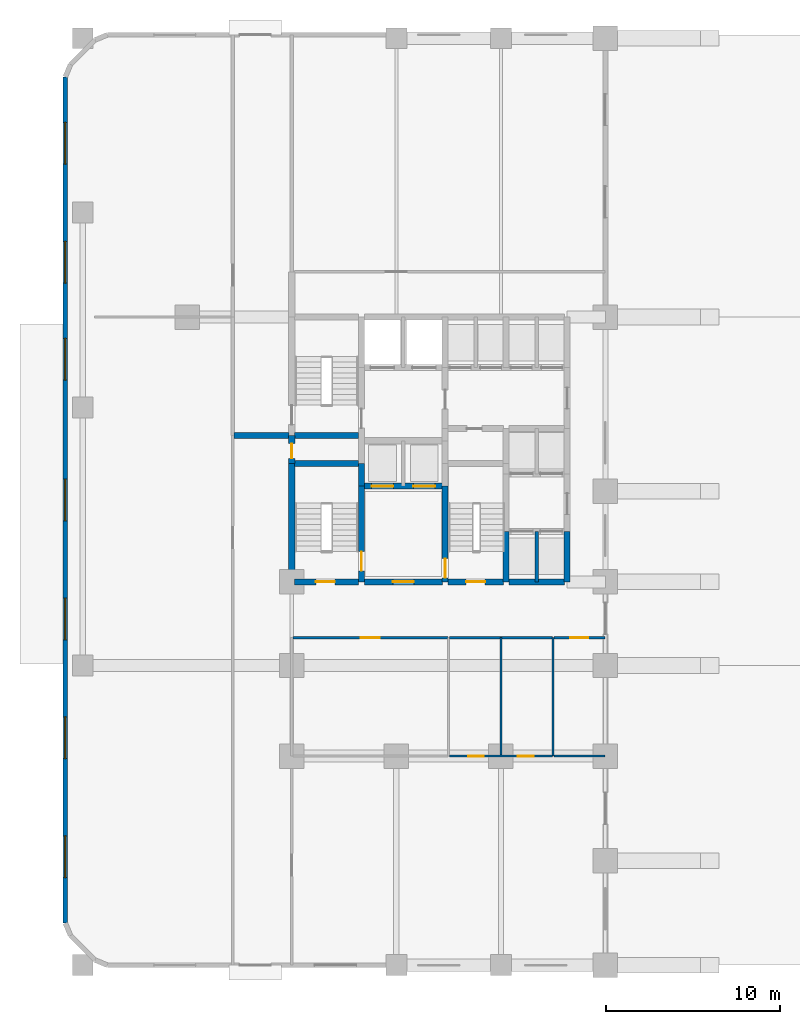
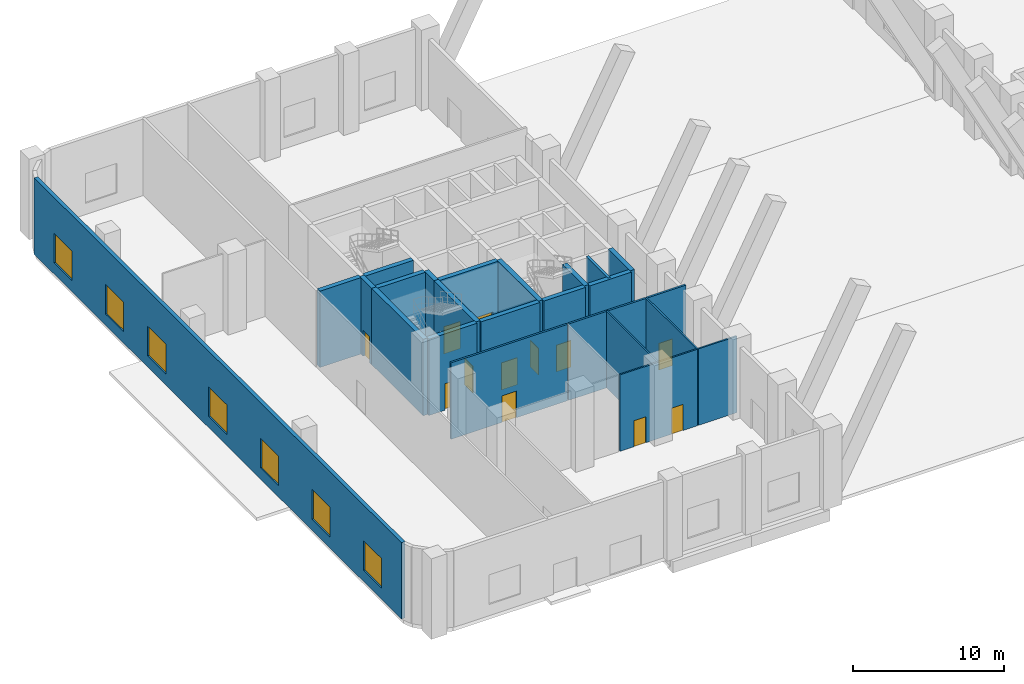
# One storey, part 3 of 10: 24 walls, 12 doors, 7 windows, 19 openings.
"""IFC4 building model written with IfcOpenShell, lengths in metres."""

from ifc_helpers import new_model, si_unit, direction, frame, frame_2d, origin, place, context, subcontext, project, spatial, rectangle, extrude, material, layer, layer_set, type_object, element, fill, save


model = new_model("IFC4")

# Units and contexts
model_context = context("Model", 3, precision=1e-05, world=origin(), true_north=direction((0.0, 1.0)))
body_context = subcontext(model_context, "Body", "Model", "MODEL_VIEW")
ifc_project = project(units=[si_unit("LENGTHUNIT", "METRE"), si_unit("AREAUNIT", "SQUARE_METRE"), si_unit("VOLUMEUNIT", "CUBIC_METRE"), si_unit("PLANEANGLEUNIT", "RADIAN"), si_unit("MASSUNIT", "GRAM", prefix="KILO")], contexts=[model_context])

# Site, building, storey
site_placement = place(None, origin())
site = spatial("IfcSite", under=ifc_project, at=site_placement, CompositionType="ELEMENT")
building_placement = place(site_placement, origin())
building = spatial("IfcBuilding", under=site, at=building_placement, Name="Keshet Zoharim Tower", CompositionType="ELEMENT")
storey_placement = place(building_placement, origin())
storey = spatial("IfcBuildingStorey", under=building, at=storey_placement, Name="L00", CompositionType="ELEMENT", Elevation=0.0)

# Wall, opening, door
ifc_material_1 = material(Name="Gypsum Plasterboard", Category="gypsum")
ifc_layer_1 = layer(ifc_material_1, 0.14990234375)
ifc_layer_set_1 = layer_set([ifc_layer_1], Name="Gypsum Plasterboard")
wall_type_1 = type_object("IfcWallType", Name="WL-CLIN-150", PredefinedType="STANDARD", material=ifc_layer_set_1)
wall_1_placement = place(storey_placement, frame((15.06005859375, 19.5, 0.0), z_axis=(0.0, 0.0, 1.0), x_axis=(1.0, 0.0, 0.0)))
wall_1 = element("IfcWall", 1, at=wall_1_placement, inside=storey, type_object=wall_type_1, Name="L00 Interior Wall 050", PredefinedType="STANDARD", context=body_context, shape_type="SweptSolid", body=[
    extrude(rectangle(XDim=8.89501953125, YDim=0.14990234375, at=frame_2d((4.447509765625, 0.0))), origin(), (0.0, 0.0, 1.0), 6.169921875),
])
opening_1_placement = place(wall_1_placement, frame((3.889892578125, 0.0, 0.0)))
opening_1 = element("IfcOpeningElement", 2, at=opening_1_placement, cuts=wall_1, Name="Opening D-F611", PredefinedType="OPENING", context=body_context, shape_type="SweptSolid", body=[
    extrude(rectangle(XDim=1.10009765625, YDim=2.14990234375, at=frame_2d((0.550048828125, 1.074951171875))), frame((0.0, 0.0849609375, 0.0), z_axis=(0.0, -1.0, 0.0), x_axis=(1.0, 0.0, 0.0)), (0.0, 0.0, 1.0), 0.169921875),
])
ifc_material_2 = material(Name="Hardwood Timber", Category="wood")
door_type_1 = type_object("IfcDoorType", Name="DR-FD60-110", OperationType="NOTDEFINED", PredefinedType="DOOR", material=ifc_material_2)
door_1_placement = place(opening_1_placement, origin())
door_1 = element("IfcDoor", 3, at=door_1_placement, inside=storey, type_object=door_type_1, Name="Ground Fire Command Centre Door", OperationType="SINGLE_SWING_LEFT", OverallHeight=2.14990234375, OverallWidth=1.10009765625, PredefinedType="DOOR", context=body_context, shape_type="SweptSolid", body=[
    extrude(rectangle(XDim=1.10009765625, YDim=2.14990234375, at=frame_2d((0.550048828125, 1.074951171875))), frame((0.0, 0.02490234375, 0.0), z_axis=(0.0, -1.0, 0.0), x_axis=(1.0, 0.0, 0.0)), (0.0, 0.0, 1.0), 0.050048828125),
])
fill(opening_1, door_1)

# Wall
wall_2_placement = place(storey_placement, frame((24.044921875, 19.5, 0.0), z_axis=(0.0, 0.0, 1.0), x_axis=(1.0, 0.0, 0.0)))
element("IfcWall", 4, at=wall_2_placement, inside=storey, type_object=wall_type_1, Name="L00 Interior Wall 051", PredefinedType="STANDARD", context=body_context, shape_type="SweptSolid", body=[
    extrude(rectangle(XDim=5.91015625, YDim=0.14990234375, at=frame_2d((2.955078125, 0.0))), origin(), (0.0, 0.0, 1.0), 6.169921875),
])

# Wall, opening, door
wall_3_placement = place(storey_placement, frame((30.044921875, 19.5, 0.0), z_axis=(0.0, 0.0, 1.0), x_axis=(1.0, 0.0, 0.0)))
wall_3 = element("IfcWall", 5, at=wall_3_placement, inside=storey, type_object=wall_type_1, Name="L00 Interior Wall 052", PredefinedType="STANDARD", context=body_context, shape_type="SweptSolid", body=[
    extrude(rectangle(XDim=2.945068359375, YDim=0.14990234375, at=frame_2d((1.47265625, 0.0))), origin(), (0.0, 0.0, 1.0), 6.169921875),
])
opening_2_placement = place(wall_3_placement, frame((0.925048828125, 0.0, 0.0)))
opening_2 = element("IfcOpeningElement", 6, at=opening_2_placement, cuts=wall_3, Name="Opening D-AC10", PredefinedType="OPENING", context=body_context, shape_type="SweptSolid", body=[
    extrude(rectangle(XDim=1.050048828125, YDim=2.14990234375, at=frame_2d((0.52490234375, 1.074951171875))), frame((0.0, 0.0849609375, 0.0), z_axis=(0.0, -1.0, 0.0), x_axis=(1.0, 0.0, 0.0)), (0.0, 0.0, 1.0), 0.169921875),
])
door_type_2 = type_object("IfcDoorType", Name="DR-ACC-105", OperationType="NOTDEFINED", PredefinedType="DOOR", material=ifc_material_2)
door_2_placement = place(opening_2_placement, origin())
door_2 = element("IfcDoor", 7, at=door_2_placement, inside=storey, type_object=door_type_2, Name="Ground Public Accessible WC Door", OperationType="SINGLE_SWING_RIGHT", OverallHeight=2.14990234375, OverallWidth=1.050048828125, PredefinedType="DOOR", context=body_context, shape_type="SweptSolid", body=[
    extrude(rectangle(XDim=1.050048828125, YDim=2.14990234375, at=frame_2d((0.52490234375, 1.074951171875))), frame((0.0, 0.02490234375, 0.0), z_axis=(0.0, -1.0, 0.0), x_axis=(1.0, 0.0, 0.0)), (0.0, 0.0, 1.0), 0.050048828125),
])
fill(opening_2, door_2)

# Wall
ifc_material_3 = material(Name="Concrete C60/75", Category="concrete")
ifc_layer_2 = layer(ifc_material_3, 0.35009765625)
ifc_layer_set_2 = layer_set([ifc_layer_2], Name="Concrete C60/75")
wall_type_2 = type_object("IfcWallType", Name="WL-CORE-350", PredefinedType="SHEAR", material=ifc_layer_set_2)
wall_4_placement = place(storey_placement, frame((15.0, 22.699951171875, 0.0), z_axis=(0.0, 0.0, 1.0), x_axis=(0.0, 1.0, 0.0)))
element("IfcWall", 8, at=wall_4_placement, inside=storey, type_object=wall_type_2, Name="L00 Core Shear Wall 006", PredefinedType="SHEAR", context=body_context, shape_type="SweptSolid", body=[
    extrude(rectangle(XDim=6.800048828125, YDim=0.35009765625, at=frame_2d((3.39990234375, 0.0))), origin(), (0.0, 0.0, 1.0), 6.169921875),
])

# Wall, opening, door
wall_5_placement = place(storey_placement, frame((15.0, 29.5, 0.0), z_axis=(0.0, 0.0, 1.0), x_axis=(0.0, 1.0, 0.0)))
wall_5 = element("IfcWall", 9, at=wall_5_placement, inside=storey, type_object=wall_type_2, Name="L00 Core Shear Wall 007", PredefinedType="SHEAR", context=body_context, shape_type="SweptSolid", body=[
    extrude(rectangle(XDim=1.60009765625, YDim=0.35009765625, at=frame_2d((0.800048828125, 0.0))), origin(), (0.0, 0.0, 1.0), 6.169921875),
])
opening_3_placement = place(wall_5_placement, frame((0.287109375, 0.0, 0.0)))
opening_3 = element("IfcOpeningElement", 10, at=opening_3_placement, cuts=wall_5, Name="Opening D-RS85", PredefinedType="OPENING", context=body_context, shape_type="SweptSolid", body=[
    extrude(rectangle(XDim=0.85009765625, YDim=2.10009765625, at=frame_2d((0.425048828125, 1.050048828125))), frame((0.0, 0.18505859375, 0.0), z_axis=(0.0, -1.0, 0.0), x_axis=(1.0, 0.0, 0.0)), (0.0, 0.0, 1.0), 0.3701171875),
])
door_type_3 = type_object("IfcDoorType", Name="DR-RIS-085", OperationType="NOTDEFINED", PredefinedType="DOOR", material=ifc_material_2)
door_3_placement = place(opening_3_placement, origin())
door_3 = element("IfcDoor", 11, at=door_3_placement, inside=storey, type_object=door_type_3, Name="L00 Electrical Riser Access Cupboard Door", OperationType="SINGLE_SWING_LEFT", OverallHeight=2.10009765625, OverallWidth=0.85009765625, PredefinedType="DOOR", context=body_context, shape_type="SweptSolid", body=[
    extrude(rectangle(XDim=0.85009765625, YDim=2.10009765625, at=frame_2d((0.425048828125, 1.050048828125))), frame((0.0, 0.02490234375, 0.0), z_axis=(0.0, -1.0, 0.0), x_axis=(1.0, 0.0, 0.0)), (0.0, 0.0, 1.0), 0.050048828125),
])
fill(opening_3, door_3)

wall_6_placement = place(storey_placement, frame((19.0, 22.699951171875, 0.0), z_axis=(0.0, 0.0, 1.0), x_axis=(0.0, 1.0, 0.0)))
wall_6 = element("IfcWall", 12, at=wall_6_placement, inside=storey, type_object=wall_type_2, Name="L00 Core Shear Wall 011", PredefinedType="SHEAR", context=body_context, shape_type="SweptSolid", body=[
    extrude(rectangle(XDim=5.5, YDim=0.35009765625, at=frame_2d((2.75, 0.0))), origin(), (0.0, 0.0, 1.0), 6.169921875),
])
opening_4_placement = place(wall_6_placement, frame((0.631103515625, 0.0, 0.0)))
opening_4 = element("IfcOpeningElement", 13, at=opening_4_placement, cuts=wall_6, Name="Opening D-F611", PredefinedType="OPENING", context=body_context, shape_type="SweptSolid", body=[
    extrude(rectangle(XDim=1.10009765625, YDim=2.14990234375, at=frame_2d((0.550048828125, 1.074951171875))), frame((0.0, 0.18505859375, 0.0), z_axis=(0.0, -1.0, 0.0), x_axis=(1.0, 0.0, 0.0)), (0.0, 0.0, 1.0), 0.3701171875),
])
door_4_placement = place(opening_4_placement, frame((1.10009765625, 0.0, 0.0), z_axis=(0.0, 0.0, 1.0), x_axis=(-1.0, 0.0, 0.0)))
door_4 = element("IfcDoor", 14, at=door_4_placement, inside=storey, type_object=door_type_1, Name="L00 Exit Stair ST-01 Fire Door", OperationType="SINGLE_SWING_LEFT", OverallHeight=2.14990234375, OverallWidth=1.10009765625, PredefinedType="DOOR", context=body_context, shape_type="SweptSolid", body=[
    extrude(rectangle(XDim=1.10009765625, YDim=2.14990234375, at=frame_2d((0.550048828125, 1.074951171875))), frame((0.0, 0.02490234375, 0.0), z_axis=(0.0, -1.0, 0.0), x_axis=(1.0, 0.0, 0.0)), (0.0, 0.0, 1.0), 0.050048828125),
])
fill(opening_4, door_4)

# Wall
wall_7_placement = place(storey_placement, frame((19.0, 28.199951171875, 0.0), z_axis=(0.0, 0.0, 1.0), x_axis=(0.0, 1.0, 0.0)))
element("IfcWall", 15, at=wall_7_placement, inside=storey, type_object=wall_type_2, Name="L00 Core Shear Wall 012", PredefinedType="SHEAR", context=body_context, shape_type="SweptSolid", body=[
    extrude(rectangle(XDim=1.300048828125, YDim=0.35009765625, at=frame_2d((0.64990234375, 0.0))), origin(), (0.0, 0.0, 1.0), 6.169921875),
])

# Wall, opening, door
wall_8_placement = place(storey_placement, frame((23.800048828125, 22.699951171875, 0.0), z_axis=(0.0, 0.0, 1.0), x_axis=(0.0, 1.0, 0.0)))
wall_8 = element("IfcWall", 16, at=wall_8_placement, inside=storey, type_object=wall_type_2, Name="L00 Core Shear Wall 017", PredefinedType="SHEAR", context=body_context, shape_type="SweptSolid", body=[
    extrude(rectangle(XDim=5.5, YDim=0.35009765625, at=frame_2d((2.75, 0.0))), origin(), (0.0, 0.0, 1.0), 6.169921875),
])
opening_5_placement = place(wall_8_placement, frame((0.235107421875, 0.0, 0.0)))
opening_5 = element("IfcOpeningElement", 17, at=opening_5_placement, cuts=wall_8, Name="Opening D-F611", PredefinedType="OPENING", context=body_context, shape_type="SweptSolid", body=[
    extrude(rectangle(XDim=1.10009765625, YDim=2.14990234375, at=frame_2d((0.550048828125, 1.074951171875))), frame((0.0, 0.18505859375, 0.0), z_axis=(0.0, -1.0, 0.0), x_axis=(1.0, 0.0, 0.0)), (0.0, 0.0, 1.0), 0.3701171875),
])
door_5_placement = place(opening_5_placement, origin())
door_5 = element("IfcDoor", 18, at=door_5_placement, inside=storey, type_object=door_type_1, Name="L00 Exit Stair ST-03 Fire Door", OperationType="SINGLE_SWING_LEFT", OverallHeight=2.14990234375, OverallWidth=1.10009765625, PredefinedType="DOOR", context=body_context, shape_type="SweptSolid", body=[
    extrude(rectangle(XDim=1.10009765625, YDim=2.14990234375, at=frame_2d((0.550048828125, 1.074951171875))), frame((0.0, 0.02490234375, 0.0), z_axis=(0.0, -1.0, 0.0), x_axis=(1.0, 0.0, 0.0)), (0.0, 0.0, 1.0), 0.050048828125),
])
fill(opening_5, door_5)

# Walls
for number, where, z_axis, x_axis, name in (
    (19, (27.300048828125, 22.699951171875, 0.0), (0.0, 0.0, 1.0), (0.0, 1.0, 0.0), "L00 Core Shear Wall 026"),
    (20, (30.800048828125, 22.699951171875, 0.0), (0.0, 0.0, 1.0), (0.0, 1.0, 0.0), "L00 Core Shear Wall 035"),
):
    element("IfcWall", number, at=place(storey_placement, frame(where, z_axis=z_axis, x_axis=x_axis)), inside=storey, type_object=wall_type_2, Name=name, PredefinedType="SHEAR", context=body_context, shape_type="SweptSolid", body=[
        extrude(rectangle(XDim=2.900146484375, YDim=0.35009765625, at=frame_2d((1.4501953125, 0.0))), origin(), (0.0, 0.0, 1.0), 6.169921875),
    ])

# Wall, opening, door
wall_9_placement = place(storey_placement, frame((15.159912109375, 22.699951171875, 0.0), z_axis=(0.0, 0.0, 1.0), x_axis=(1.0, 0.0, 0.0)))
wall_9 = element("IfcWall", 21, at=wall_9_placement, inside=storey, type_object=wall_type_2, Name="L00 Core Shear Wall 054", PredefinedType="SHEAR", context=body_context, shape_type="SweptSolid", body=[
    extrude(rectangle(XDim=3.68017578125, YDim=0.35009765625, at=frame_2d((1.840087890625, 0.0))), origin(), (0.0, 0.0, 1.0), 6.169921875),
])
opening_6_placement = place(wall_9_placement, frame((1.217041015625, 0.0, 0.0)))
opening_6 = element("IfcOpeningElement", 22, at=opening_6_placement, cuts=wall_9, Name="Opening D-F611", PredefinedType="OPENING", context=body_context, shape_type="SweptSolid", body=[
    extrude(rectangle(XDim=1.10009765625, YDim=2.14990234375, at=frame_2d((0.550048828125, 1.074951171875))), frame((0.0, 0.18505859375, 0.0), z_axis=(0.0, -1.0, 0.0), x_axis=(1.0, 0.0, 0.0)), (0.0, 0.0, 1.0), 0.3701171875),
])
door_6_placement = place(opening_6_placement, frame((1.10009765625, 0.0, 0.0), z_axis=(0.0, 0.0, 1.0), x_axis=(-1.0, 0.0, 0.0)))
door_6 = element("IfcDoor", 23, at=door_6_placement, inside=storey, type_object=door_type_1, Name="Ground Exit Stair ST-01 Discharge Door to Exit Corridor", OperationType="SINGLE_SWING_LEFT", OverallHeight=2.14990234375, OverallWidth=1.10009765625, PredefinedType="DOOR", context=body_context, shape_type="SweptSolid", body=[
    extrude(rectangle(XDim=1.10009765625, YDim=2.14990234375, at=frame_2d((0.550048828125, 1.074951171875))), frame((0.0, 0.02490234375, 0.0), z_axis=(0.0, -1.0, 0.0), x_axis=(1.0, 0.0, 0.0)), (0.0, 0.0, 1.0), 0.050048828125),
])
fill(opening_6, door_6)

wall_10_placement = place(storey_placement, frame((19.159912109375, 22.699951171875, 0.0), z_axis=(0.0, 0.0, 1.0), x_axis=(1.0, 0.0, 0.0)))
wall_10 = element("IfcWall", 24, at=wall_10_placement, inside=storey, type_object=wall_type_2, Name="L00 Core Shear Wall 055", PredefinedType="SHEAR", context=body_context, shape_type="SweptSolid", body=[
    extrude(rectangle(XDim=4.47998046875, YDim=0.35009765625, at=frame_2d((2.239990234375, 0.0))), origin(), (0.0, 0.0, 1.0), 6.169921875),
])
opening_7_placement = place(wall_10_placement, frame((1.639892578125, 0.0, 0.0)))
opening_7 = element("IfcOpeningElement", 25, at=opening_7_placement, cuts=wall_10, Name="Opening D-F612", PredefinedType="OPENING", context=body_context, shape_type="SweptSolid", body=[
    extrude(rectangle(XDim=1.199951171875, YDim=2.199951171875, at=frame_2d((0.60009765625, 1.10009765625))), frame((0.0, 0.18505859375, 0.0), z_axis=(0.0, -1.0, 0.0), x_axis=(1.0, 0.0, 0.0)), (0.0, 0.0, 1.0), 0.3701171875),
])
door_type_4 = type_object("IfcDoorType", Name="DR-FD60-120", OperationType="NOTDEFINED", PredefinedType="DOOR", material=ifc_material_2)
door_7_placement = place(opening_7_placement, frame((1.199951171875, 0.0, 0.0), z_axis=(0.0, 0.0, 1.0), x_axis=(-1.0, 0.0, 0.0)))
door_7 = element("IfcDoor", 26, at=door_7_placement, inside=storey, type_object=door_type_4, Name="L00 South Core Lobby Fire Door", OperationType="SINGLE_SWING_RIGHT", OverallHeight=2.199951171875, OverallWidth=1.199951171875, PredefinedType="DOOR", context=body_context, shape_type="SweptSolid", body=[
    extrude(rectangle(XDim=1.199951171875, YDim=2.199951171875, at=frame_2d((0.60009765625, 1.10009765625))), frame((0.0, 0.02490234375, 0.0), z_axis=(0.0, -1.0, 0.0), x_axis=(1.0, 0.0, 0.0)), (0.0, 0.0, 1.0), 0.050048828125),
])
fill(opening_7, door_7)

wall_11_placement = place(storey_placement, frame((23.9599609375, 22.699951171875, 0.0), z_axis=(0.0, 0.0, 1.0), x_axis=(1.0, 0.0, 0.0)))
wall_11 = element("IfcWall", 27, at=wall_11_placement, inside=storey, type_object=wall_type_2, Name="L00 Core Shear Wall 056", PredefinedType="SHEAR", context=body_context, shape_type="SweptSolid", body=[
    extrude(rectangle(XDim=3.179931640625, YDim=0.35009765625, at=frame_2d((1.58984375, 0.0))), origin(), (0.0, 0.0, 1.0), 6.169921875),
])
opening_8_placement = place(wall_11_placement, frame((1.0400390625, 0.0, 0.0)))
opening_8 = element("IfcOpeningElement", 28, at=opening_8_placement, cuts=wall_11, Name="Opening D-F611", PredefinedType="OPENING", context=body_context, shape_type="SweptSolid", body=[
    extrude(rectangle(XDim=1.10009765625, YDim=2.14990234375, at=frame_2d((0.550048828125, 1.074951171875))), frame((0.0, 0.18505859375, 0.0), z_axis=(0.0, -1.0, 0.0), x_axis=(1.0, 0.0, 0.0)), (0.0, 0.0, 1.0), 0.3701171875),
])
door_8_placement = place(opening_8_placement, frame((1.10009765625, 0.0, 0.0), z_axis=(0.0, 0.0, 1.0), x_axis=(-1.0, 0.0, 0.0)))
door_8 = element("IfcDoor", 29, at=door_8_placement, inside=storey, type_object=door_type_1, Name="Ground Exit Stair ST-03 Discharge Door to Exit Corridor", OperationType="SINGLE_SWING_LEFT", OverallHeight=2.14990234375, OverallWidth=1.10009765625, PredefinedType="DOOR", context=body_context, shape_type="SweptSolid", body=[
    extrude(rectangle(XDim=1.10009765625, YDim=2.14990234375, at=frame_2d((0.550048828125, 1.074951171875))), frame((0.0, 0.02490234375, 0.0), z_axis=(0.0, -1.0, 0.0), x_axis=(1.0, 0.0, 0.0)), (0.0, 0.0, 1.0), 0.050048828125),
])
fill(opening_8, door_8)

# Wall
wall_12_placement = place(storey_placement, frame((27.4599609375, 22.699951171875, 0.0), z_axis=(0.0, 0.0, 1.0), x_axis=(1.0, 0.0, 0.0)))
element("IfcWall", 30, at=wall_12_placement, inside=storey, type_object=wall_type_2, Name="L00 Core Shear Wall 057", PredefinedType="SHEAR", context=body_context, shape_type="SweptSolid", body=[
    extrude(rectangle(XDim=3.179931640625, YDim=0.35009765625, at=frame_2d((1.58984375, 0.0))), origin(), (0.0, 0.0, 1.0), 6.169921875),
])

# Wall, openings, doors
wall_13_placement = place(storey_placement, frame((19.159912109375, 28.199951171875, 0.0), z_axis=(0.0, 0.0, 1.0), x_axis=(1.0, 0.0, 0.0)))
wall_13 = element("IfcWall", 31, at=wall_13_placement, inside=storey, type_object=wall_type_2, Name="L00 Core Shear Wall 061", PredefinedType="SHEAR", context=body_context, shape_type="SweptSolid", body=[
    extrude(rectangle(XDim=4.47998046875, YDim=0.35009765625, at=frame_2d((2.239990234375, 0.0))), origin(), (0.0, 0.0, 1.0), 6.169921875),
])
opening_9_placement = place(wall_13_placement, frame((0.4150390625, 0.0, 0.0)))
opening_9 = element("IfcOpeningElement", 32, at=opening_9_placement, cuts=wall_13, Name="Opening LD-01", PredefinedType="OPENING", context=body_context, shape_type="SweptSolid", body=[
    extrude(rectangle(XDim=1.25, YDim=2.199951171875, at=frame_2d((0.625, 1.10009765625))), frame((0.0, 0.18505859375, 0.0), z_axis=(0.0, -1.0, 0.0), x_axis=(1.0, 0.0, 0.0)), (0.0, 0.0, 1.0), 0.3701171875),
])
opening_10_placement = place(wall_13_placement, frame((2.81494140625, 0.0, 0.0)))
opening_10 = element("IfcOpeningElement", 33, at=opening_10_placement, cuts=wall_13, Name="Opening LD-01", PredefinedType="OPENING", context=body_context, shape_type="SweptSolid", body=[
    extrude(rectangle(XDim=1.25, YDim=2.199951171875, at=frame_2d((0.625, 1.10009765625))), frame((0.0, 0.18505859375, 0.0), z_axis=(0.0, -1.0, 0.0), x_axis=(1.0, 0.0, 0.0)), (0.0, 0.0, 1.0), 0.3701171875),
])
ifc_material_4 = material(Name="Steel S355", Category="steel")
door_type_5 = type_object("IfcDoorType", Name="DR-LD01-125", OperationType="DOUBLE_DOOR_SLIDING", PredefinedType="DOOR", material=ifc_material_4)
door_9_placement = place(opening_9_placement, origin())
door_9 = element("IfcDoor", 34, at=door_9_placement, inside=storey, type_object=door_type_5, Name="L00 Passenger Lift Landing Door LF-09", OperationType="DOUBLE_DOOR_SLIDING", OverallHeight=2.199951171875, OverallWidth=1.25, PredefinedType="DOOR", context=body_context, shape_type="SweptSolid", body=[
    extrude(rectangle(XDim=1.25, YDim=2.199951171875, at=frame_2d((0.625, 1.10009765625))), frame((0.0, 0.02490234375, 0.0), z_axis=(0.0, -1.0, 0.0), x_axis=(1.0, 0.0, 0.0)), (0.0, 0.0, 1.0), 0.050048828125),
])
fill(opening_9, door_9)
door_10_placement = place(opening_10_placement, origin())
door_10 = element("IfcDoor", 35, at=door_10_placement, inside=storey, type_object=door_type_5, Name="L00 Passenger Lift Landing Door LF-10", OperationType="DOUBLE_DOOR_SLIDING", OverallHeight=2.199951171875, OverallWidth=1.25, PredefinedType="DOOR", context=body_context, shape_type="SweptSolid", body=[
    extrude(rectangle(XDim=1.25, YDim=2.199951171875, at=frame_2d((0.625, 1.10009765625))), frame((0.0, 0.02490234375, 0.0), z_axis=(0.0, -1.0, 0.0), x_axis=(1.0, 0.0, 0.0)), (0.0, 0.0, 1.0), 0.050048828125),
])
fill(opening_10, door_10)

# Walls
wall_14_placement = place(storey_placement, frame((15.159912109375, 29.5, 0.0), z_axis=(0.0, 0.0, 1.0), x_axis=(1.0, 0.0, 0.0)))
element("IfcWall", 36, at=wall_14_placement, inside=storey, type_object=wall_type_2, Name="L00 Core Shear Wall 064", PredefinedType="SHEAR", context=body_context, shape_type="SweptSolid", body=[
    extrude(rectangle(XDim=3.68017578125, YDim=0.35009765625, at=frame_2d((1.840087890625, 0.0))), origin(), (0.0, 0.0, 1.0), 6.169921875),
])
wall_15_placement = place(storey_placement, frame((11.68505859375, 31.10009765625, 0.0), z_axis=(0.0, 0.0, 1.0), x_axis=(1.0, 0.0, 0.0)))
element("IfcWall", 37, at=wall_15_placement, inside=storey, type_object=wall_type_2, Name="L00 Core Shear Wall 068", PredefinedType="SHEAR", context=body_context, shape_type="SweptSolid", body=[
    extrude(rectangle(XDim=3.155029296875, YDim=0.35009765625, at=frame_2d((1.57763671875, 0.0))), origin(), (0.0, 0.0, 1.0), 6.169921875),
])
wall_16_placement = place(storey_placement, frame((15.159912109375, 31.10009765625, 0.0), z_axis=(0.0, 0.0, 1.0), x_axis=(1.0, 0.0, 0.0)))
element("IfcWall", 38, at=wall_16_placement, inside=storey, type_object=wall_type_2, Name="L00 Core Shear Wall 069", PredefinedType="SHEAR", context=body_context, shape_type="SweptSolid", body=[
    extrude(rectangle(XDim=3.68017578125, YDim=0.35009765625, at=frame_2d((1.840087890625, 0.0))), origin(), (0.0, 0.0, 1.0), 6.169921875),
])

# Wall, openings, windows
ifc_material_5 = material(Name="Concrete C50/60 precast", Category="concrete")
ifc_layer_3 = layer(ifc_material_5, 0.280029296875)
ifc_layer_set_3 = layer_set([ifc_layer_3], Name="Concrete C50/60 precast")
wall_type_3 = type_object("IfcWallType", Name="WL-EXT-280", PredefinedType="STANDARD", material=ifc_layer_set_3)
wall_17_placement = place(storey_placement, frame((2.0, 3.114013671875, 0.0), z_axis=(0.0, 0.0, 1.0), x_axis=(0.0, 1.0, 0.0)))
wall_17 = element("IfcWall", 39, at=wall_17_placement, inside=storey, type_object=wall_type_3, Name="L00 Podium Precast Facade Wall 01", PredefinedType="STANDARD", context=body_context, shape_type="SweptSolid", body=[
    extrude(rectangle(XDim=48.572021484375, YDim=0.280029296875, at=frame_2d((24.2861328125, 0.0))), origin(), (0.0, 0.0, 1.0), 6.169921875),
])
opening_11_placement = place(wall_17_placement, frame((2.612060546875, 0.0, 0.89990234375)))
opening_11 = element("IfcOpeningElement", 40, at=opening_11_placement, cuts=wall_17, Name="Opening W-240", PredefinedType="OPENING", context=body_context, shape_type="SweptSolid", body=[
    extrude(rectangle(XDim=2.39990234375, YDim=2.39990234375, at=frame_2d((1.199951171875, 1.199951171875))), frame((0.0, 0.14990234375, 0.0), z_axis=(0.0, -1.0, 0.0), x_axis=(1.0, 0.0, 0.0)), (0.0, 0.0, 1.0), 0.300048828125),
])
opening_12_placement = place(wall_17_placement, frame((9.43701171875, 0.0, 0.89990234375)))
opening_12 = element("IfcOpeningElement", 41, at=opening_12_placement, cuts=wall_17, Name="Opening W-240", PredefinedType="OPENING", context=body_context, shape_type="SweptSolid", body=[
    extrude(rectangle(XDim=2.39990234375, YDim=2.39990234375, at=frame_2d((1.199951171875, 1.199951171875))), frame((0.0, 0.14990234375, 0.0), z_axis=(0.0, -1.0, 0.0), x_axis=(1.0, 0.0, 0.0)), (0.0, 0.0, 1.0), 0.300048828125),
])
opening_13_placement = place(wall_17_placement, frame((16.260986328125, 0.0, 0.89990234375)))
opening_13 = element("IfcOpeningElement", 42, at=opening_13_placement, cuts=wall_17, Name="Opening W-240", PredefinedType="OPENING", context=body_context, shape_type="SweptSolid", body=[
    extrude(rectangle(XDim=2.39990234375, YDim=2.39990234375, at=frame_2d((1.199951171875, 1.199951171875))), frame((0.0, 0.14990234375, 0.0), z_axis=(0.0, -1.0, 0.0), x_axis=(1.0, 0.0, 0.0)), (0.0, 0.0, 1.0), 0.300048828125),
])
opening_14_placement = place(wall_17_placement, frame((23.0859375, 0.0, 0.89990234375)))
opening_14 = element("IfcOpeningElement", 43, at=opening_14_placement, cuts=wall_17, Name="Opening W-240", PredefinedType="OPENING", context=body_context, shape_type="SweptSolid", body=[
    extrude(rectangle(XDim=2.39990234375, YDim=2.39990234375, at=frame_2d((1.199951171875, 1.199951171875))), frame((0.0, 0.14990234375, 0.0), z_axis=(0.0, -1.0, 0.0), x_axis=(1.0, 0.0, 0.0)), (0.0, 0.0, 1.0), 0.300048828125),
])
opening_15_placement = place(wall_17_placement, frame((31.160888671875, 0.0, 0.89990234375)))
opening_15 = element("IfcOpeningElement", 44, at=opening_15_placement, cuts=wall_17, Name="Opening W-240", PredefinedType="OPENING", context=body_context, shape_type="SweptSolid", body=[
    extrude(rectangle(XDim=2.39990234375, YDim=2.39990234375, at=frame_2d((1.199951171875, 1.199951171875))), frame((0.0, 0.14990234375, 0.0), z_axis=(0.0, -1.0, 0.0), x_axis=(1.0, 0.0, 0.0)), (0.0, 0.0, 1.0), 0.300048828125),
])
opening_16_placement = place(wall_17_placement, frame((36.735107421875, 0.0, 0.89990234375)))
opening_16 = element("IfcOpeningElement", 45, at=opening_16_placement, cuts=wall_17, Name="Opening W-240", PredefinedType="OPENING", context=body_context, shape_type="SweptSolid", body=[
    extrude(rectangle(XDim=2.39990234375, YDim=2.39990234375, at=frame_2d((1.199951171875, 1.199951171875))), frame((0.0, 0.14990234375, 0.0), z_axis=(0.0, -1.0, 0.0), x_axis=(1.0, 0.0, 0.0)), (0.0, 0.0, 1.0), 0.300048828125),
])
opening_17_placement = place(wall_17_placement, frame((43.56005859375, 0.0, 0.89990234375)))
opening_17 = element("IfcOpeningElement", 46, at=opening_17_placement, cuts=wall_17, Name="Opening W-240", PredefinedType="OPENING", context=body_context, shape_type="SweptSolid", body=[
    extrude(rectangle(XDim=2.39990234375, YDim=2.39990234375, at=frame_2d((1.199951171875, 1.199951171875))), frame((0.0, 0.14990234375, 0.0), z_axis=(0.0, -1.0, 0.0), x_axis=(1.0, 0.0, 0.0)), (0.0, 0.0, 1.0), 0.300048828125),
])
ifc_material_6 = material(Name="Insulated Low-E Clear Glass", Category="glass")
window_type = type_object("IfcWindowType", Name="WN-POD-240", PartitioningType="DOUBLE_PANEL_VERTICAL", PredefinedType="WINDOW", material=ifc_material_6)
window_1_placement = place(opening_11_placement, origin())
window_1 = element("IfcWindow", 47, at=window_1_placement, inside=storey, type_object=window_type, Name="Podium Storefront Window 01", OverallHeight=2.39990234375, OverallWidth=2.39990234375, PartitioningType="DOUBLE_PANEL_VERTICAL", PredefinedType="WINDOW", context=body_context, shape_type="SweptSolid", body=[
    extrude(rectangle(XDim=2.39990234375, YDim=2.39990234375, at=frame_2d((1.199951171875, 1.199951171875))), frame((0.0, 0.030029296875, 0.0), z_axis=(0.0, -1.0, 0.0), x_axis=(1.0, 0.0, 0.0)), (0.0, 0.0, 1.0), 0.06005859375),
])
fill(opening_11, window_1)
window_2_placement = place(opening_12_placement, origin())
window_2 = element("IfcWindow", 48, at=window_2_placement, inside=storey, type_object=window_type, Name="Podium Storefront Window 02", OverallHeight=2.39990234375, OverallWidth=2.39990234375, PartitioningType="DOUBLE_PANEL_VERTICAL", PredefinedType="WINDOW", context=body_context, shape_type="SweptSolid", body=[
    extrude(rectangle(XDim=2.39990234375, YDim=2.39990234375, at=frame_2d((1.199951171875, 1.199951171875))), frame((0.0, 0.030029296875, 0.0), z_axis=(0.0, -1.0, 0.0), x_axis=(1.0, 0.0, 0.0)), (0.0, 0.0, 1.0), 0.06005859375),
])
fill(opening_12, window_2)
window_3_placement = place(opening_13_placement, origin())
window_3 = element("IfcWindow", 49, at=window_3_placement, inside=storey, type_object=window_type, Name="Podium Storefront Window 03", OverallHeight=2.39990234375, OverallWidth=2.39990234375, PartitioningType="DOUBLE_PANEL_VERTICAL", PredefinedType="WINDOW", context=body_context, shape_type="SweptSolid", body=[
    extrude(rectangle(XDim=2.39990234375, YDim=2.39990234375, at=frame_2d((1.199951171875, 1.199951171875))), frame((0.0, 0.030029296875, 0.0), z_axis=(0.0, -1.0, 0.0), x_axis=(1.0, 0.0, 0.0)), (0.0, 0.0, 1.0), 0.06005859375),
])
fill(opening_13, window_3)
window_4_placement = place(opening_14_placement, origin())
window_4 = element("IfcWindow", 50, at=window_4_placement, inside=storey, type_object=window_type, Name="Podium Storefront Window 04", OverallHeight=2.39990234375, OverallWidth=2.39990234375, PartitioningType="DOUBLE_PANEL_VERTICAL", PredefinedType="WINDOW", context=body_context, shape_type="SweptSolid", body=[
    extrude(rectangle(XDim=2.39990234375, YDim=2.39990234375, at=frame_2d((1.199951171875, 1.199951171875))), frame((0.0, 0.030029296875, 0.0), z_axis=(0.0, -1.0, 0.0), x_axis=(1.0, 0.0, 0.0)), (0.0, 0.0, 1.0), 0.06005859375),
])
fill(opening_14, window_4)
window_5_placement = place(opening_15_placement, origin())
window_5 = element("IfcWindow", 51, at=window_5_placement, inside=storey, type_object=window_type, Name="Podium Storefront Window 05", OverallHeight=2.39990234375, OverallWidth=2.39990234375, PartitioningType="DOUBLE_PANEL_VERTICAL", PredefinedType="WINDOW", context=body_context, shape_type="SweptSolid", body=[
    extrude(rectangle(XDim=2.39990234375, YDim=2.39990234375, at=frame_2d((1.199951171875, 1.199951171875))), frame((0.0, 0.030029296875, 0.0), z_axis=(0.0, -1.0, 0.0), x_axis=(1.0, 0.0, 0.0)), (0.0, 0.0, 1.0), 0.06005859375),
])
fill(opening_15, window_5)
window_6_placement = place(opening_16_placement, origin())
window_6 = element("IfcWindow", 52, at=window_6_placement, inside=storey, type_object=window_type, Name="Podium Storefront Window 06", OverallHeight=2.39990234375, OverallWidth=2.39990234375, PartitioningType="DOUBLE_PANEL_VERTICAL", PredefinedType="WINDOW", context=body_context, shape_type="SweptSolid", body=[
    extrude(rectangle(XDim=2.39990234375, YDim=2.39990234375, at=frame_2d((1.199951171875, 1.199951171875))), frame((0.0, 0.030029296875, 0.0), z_axis=(0.0, -1.0, 0.0), x_axis=(1.0, 0.0, 0.0)), (0.0, 0.0, 1.0), 0.06005859375),
])
fill(opening_16, window_6)
window_7_placement = place(opening_17_placement, origin())
window_7 = element("IfcWindow", 53, at=window_7_placement, inside=storey, type_object=window_type, Name="Podium Storefront Window 07", OverallHeight=2.39990234375, OverallWidth=2.39990234375, PartitioningType="DOUBLE_PANEL_VERTICAL", PredefinedType="WINDOW", context=body_context, shape_type="SweptSolid", body=[
    extrude(rectangle(XDim=2.39990234375, YDim=2.39990234375, at=frame_2d((1.199951171875, 1.199951171875))), frame((0.0, 0.030029296875, 0.0), z_axis=(0.0, -1.0, 0.0), x_axis=(1.0, 0.0, 0.0)), (0.0, 0.0, 1.0), 0.06005859375),
])
fill(opening_17, window_7)

# Walls
ifc_material_7 = material(Name="Concrete C50/60", Category="concrete")
ifc_layer_4 = layer(ifc_material_7, 0.199951171875)
ifc_layer_set_4 = layer_set([ifc_layer_4], Name="Concrete C50/60")
wall_type_4 = type_object("IfcWallType", Name="WL-FIRE-200", PredefinedType="STANDARD", material=ifc_layer_set_4)
wall_18_placement = place(storey_placement, frame((29.050048828125, 22.699951171875, 0.0), z_axis=(0.0, 0.0, 1.0), x_axis=(0.0, 1.0, 0.0)))
element("IfcWall", 54, at=wall_18_placement, inside=storey, type_object=wall_type_4, Name="L00 Interior Wall 031", PredefinedType="STANDARD", context=body_context, shape_type="SweptSolid", body=[
    extrude(rectangle(XDim=2.900146484375, YDim=0.199951171875, at=frame_2d((1.4501953125, 0.0))), origin(), (0.0, 0.0, 1.0), 6.169921875),
])
ifc_layer_5 = layer(ifc_material_1, 0.1201171875)
ifc_layer_set_5 = layer_set([ifc_layer_5], Name="Gypsum Plasterboard")
wall_type_5 = type_object("IfcWallType", Name="WL-WET-120", PredefinedType="PARTITIONING", material=ifc_layer_set_5)
for number, where, z_axis, x_axis, name in (
    (55, (27.0, 12.699951171875, 0.0), (0.0, 0.0, 1.0), (0.0, 1.0, 0.0), "L00 Interior Wall 025"),
    (56, (30.0, 12.699951171875, 0.0), (0.0, 0.0, 1.0), (0.0, 1.0, 0.0), "L00 Interior Wall 034"),
):
    element("IfcWall", number, at=place(storey_placement, frame(where, z_axis=z_axis, x_axis=x_axis)), inside=storey, type_object=wall_type_5, Name=name, PredefinedType="PARTITIONING", context=body_context, shape_type="SweptSolid", body=[
        extrude(rectangle(XDim=6.800048828125, YDim=0.1201171875, at=frame_2d((3.39990234375, 0.0))), origin(), (0.0, 0.0, 1.0), 6.169921875),
    ])

# Wall, openings, doors
wall_19_placement = place(storey_placement, frame((24.044921875, 12.699951171875, 0.0), z_axis=(0.0, 0.0, 1.0), x_axis=(1.0, 0.0, 0.0)))
wall_19 = element("IfcWall", 57, at=wall_19_placement, inside=storey, type_object=wall_type_5, Name="L00 Interior Wall 048", PredefinedType="PARTITIONING", context=body_context, shape_type="SweptSolid", body=[
    extrude(rectangle(XDim=5.91015625, YDim=0.1201171875, at=frame_2d((2.955078125, 0.0))), origin(), (0.0, 0.0, 1.0), 6.169921875),
])
opening_18_placement = place(wall_19_placement, frame((1.080078125, 0.0, 0.0)))
opening_18 = element("IfcOpeningElement", 58, at=opening_18_placement, cuts=wall_19, Name="Opening D-WT90", PredefinedType="OPENING", context=body_context, shape_type="SweptSolid", body=[
    extrude(rectangle(XDim=0.89990234375, YDim=2.10009765625, at=frame_2d((0.449951171875, 1.050048828125))), frame((0.0, 0.070068359375, 0.0), z_axis=(0.0, -1.0, 0.0), x_axis=(1.0, 0.0, 0.0)), (0.0, 0.0, 1.0), 0.14013671875),
])
opening_19_placement = place(wall_19_placement, frame((3.929931640625, 0.0, 0.0)))
opening_19 = element("IfcOpeningElement", 59, at=opening_19_placement, cuts=wall_19, Name="Opening D-WT90", PredefinedType="OPENING", context=body_context, shape_type="SweptSolid", body=[
    extrude(rectangle(XDim=0.89990234375, YDim=2.10009765625, at=frame_2d((0.449951171875, 1.050048828125))), frame((0.0, 0.070068359375, 0.0), z_axis=(0.0, -1.0, 0.0), x_axis=(1.0, 0.0, 0.0)), (0.0, 0.0, 1.0), 0.14013671875),
])
door_type_6 = type_object("IfcDoorType", Name="DR-WET-090", OperationType="NOTDEFINED", PredefinedType="DOOR", material=ifc_material_2)
door_11_placement = place(opening_18_placement, origin())
door_11 = element("IfcDoor", 60, at=door_11_placement, inside=storey, type_object=door_type_6, Name="Ground Public Male WC Door", OperationType="SINGLE_SWING_LEFT", OverallHeight=2.10009765625, OverallWidth=0.89990234375, PredefinedType="DOOR", context=body_context, shape_type="SweptSolid", body=[
    extrude(rectangle(XDim=0.89990234375, YDim=2.10009765625, at=frame_2d((0.449951171875, 1.050048828125))), frame((0.0, 0.02490234375, 0.0), z_axis=(0.0, -1.0, 0.0), x_axis=(1.0, 0.0, 0.0)), (0.0, 0.0, 1.0), 0.050048828125),
])
fill(opening_18, door_11)
door_12_placement = place(opening_19_placement, origin())
door_12 = element("IfcDoor", 61, at=door_12_placement, inside=storey, type_object=door_type_6, Name="Ground Public Female WC Door", OperationType="SINGLE_SWING_RIGHT", OverallHeight=2.10009765625, OverallWidth=0.89990234375, PredefinedType="DOOR", context=body_context, shape_type="SweptSolid", body=[
    extrude(rectangle(XDim=0.89990234375, YDim=2.10009765625, at=frame_2d((0.449951171875, 1.050048828125))), frame((0.0, 0.02490234375, 0.0), z_axis=(0.0, -1.0, 0.0), x_axis=(1.0, 0.0, 0.0)), (0.0, 0.0, 1.0), 0.050048828125),
])
fill(opening_19, door_12)

# Wall
wall_20_placement = place(storey_placement, frame((30.044921875, 12.699951171875, 0.0), z_axis=(0.0, 0.0, 1.0), x_axis=(1.0, 0.0, 0.0)))
element("IfcWall", 62, at=wall_20_placement, inside=storey, type_object=wall_type_5, Name="L00 Interior Wall 049", PredefinedType="PARTITIONING", context=body_context, shape_type="SweptSolid", body=[
    extrude(rectangle(XDim=2.945068359375, YDim=0.1201171875, at=frame_2d((1.47265625, 0.0))), origin(), (0.0, 0.0, 1.0), 6.169921875),
])

save(model, "model.ifc")
